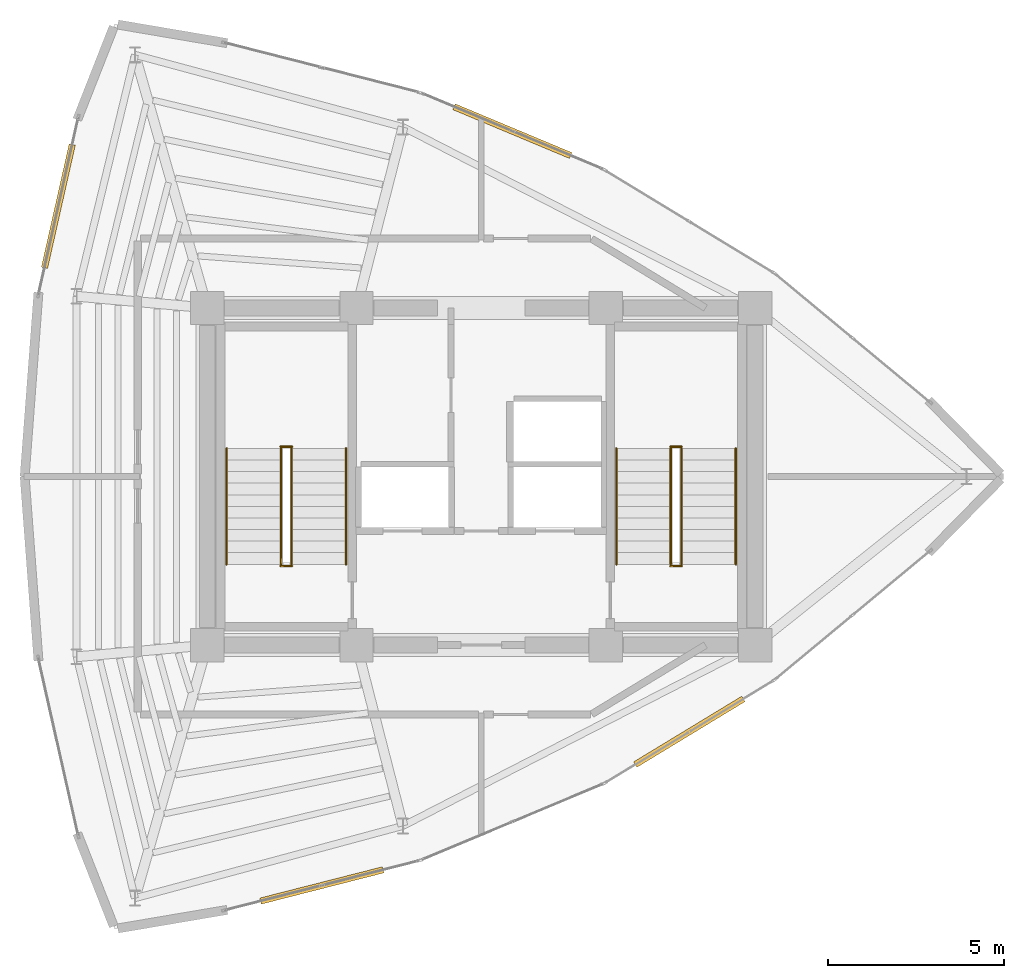
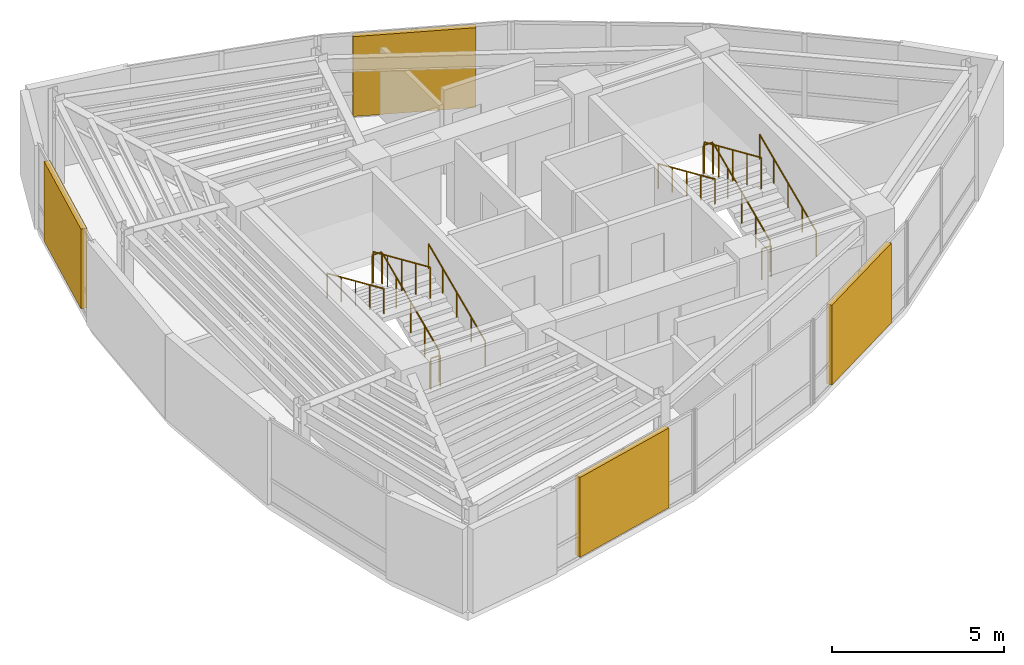
# One storey, part 14 of 14: 12 railings, 4 shading devices.
"""IFC4 building model written with IfcOpenShell, lengths in metres."""

from ifc_helpers import new_model, si_unit, direction, frame, origin, origin_2d, place, context, subcontext, project, spatial, rectangle, circle, extrude, material, layer, layer_set, type_object, element, save


model = new_model("IFC4")

# Units and contexts
model_context = context("Model", 3, precision=1e-05, world=origin(), true_north=direction((0.0, 1.0)))
body_context = subcontext(model_context, "Body", "Model", "MODEL_VIEW")
ifc_project = project(units=[si_unit("LENGTHUNIT", "METRE"), si_unit("AREAUNIT", "SQUARE_METRE"), si_unit("VOLUMEUNIT", "CUBIC_METRE"), si_unit("PLANEANGLEUNIT", "RADIAN"), si_unit("MASSUNIT", "GRAM", prefix="KILO")], contexts=[model_context])

# Site, building, storey
site_placement = place(None, origin())
site = spatial("IfcSite", under=ifc_project, at=site_placement, CompositionType="ELEMENT")
building_placement = place(site_placement, origin())
building = spatial("IfcBuilding", under=site, at=building_placement, Name="Menara Vayukalpa", CompositionType="ELEMENT")
storey_placement = place(building_placement, frame((0.0, 0.0, 299.219970703125)))
storey = spatial("IfcBuildingStorey", under=building, at=storey_placement, Name="L76", CompositionType="ELEMENT", Elevation=299.219970703125)

# Railings
ifc_material_1 = material(Name="Powder-Coated Galvanised Steel Guardrail", Category="steel")
railing_type_1 = type_object("IfcRailingType", Name="RLG-STG110", PredefinedType="GUARDRAIL", material=ifc_material_1)
railing_1_placement = place(storey_placement, frame((20.199951171875, 19.5, 0.1455078125)))
element("IfcRailing", 1, at=railing_1_placement, inside=storey, type_object=railing_type_1, Name="L76 ST-1 stair guard 1", PredefinedType="GUARDRAIL", context=body_context, shape_type="SweptSolid", body=[
    extrude(circle(Radius=0.02392578125, at=origin_2d()), frame((0.0, 0.0, 1.09619140625), z_axis=(0.0, 0.915052310208, 0.403335182675), x_axis=(-1.0, 0.0, 0.0)), (0.0, 0.0, 1.0), 3.6064453125),
    extrude(circle(Radius=0.02099609375, at=origin_2d()), origin(), (0.0, 0.0, 1.0), 1.072021484375),
    extrude(circle(Radius=0.02099609375, at=origin_2d()), frame((0.0, 0.824951171875, 0.36376953125)), (0.0, 0.0, 1.0), 1.072021484375),
    extrude(circle(Radius=0.02099609375, at=origin_2d()), frame((0.0, 1.64990234375, 0.727294921875)), (0.0, 0.0, 1.0), 1.072021484375),
    extrude(circle(Radius=0.02099609375, at=origin_2d()), frame((0.0, 2.47509765625, 1.0908203125)), (0.0, 0.0, 1.0), 1.072021484375),
    extrude(circle(Radius=0.02099609375, at=origin_2d()), frame((0.0, 3.300048828125, 1.45458984375)), (0.0, 0.0, 1.0), 1.072021484375),
])
railing_2_placement = place(storey_placement, frame((20.2099609375, 22.85009765625, 1.60009765625)))
element("IfcRailing", 2, at=railing_2_placement, inside=storey, type_object=railing_type_1, Name="L76 ST-1 stair guard 2", PredefinedType="GUARDRAIL", context=body_context, shape_type="SweptSolid", body=[
    extrude(circle(Radius=0.02392578125, at=origin_2d()), frame((0.0, 0.0, 1.09619140625), z_axis=(-1.0, 0.0, 0.0), x_axis=(0.0, -1.0, 0.0)), (0.0, 0.0, 1.0), 0.320068359375),
    extrude(circle(Radius=0.02099609375, at=origin_2d()), origin(), (0.0, 0.0, 1.0), 1.072021484375),
    extrude(circle(Radius=0.02099609375, at=origin_2d()), frame((-0.320068359375, 0.0, 0.0)), (0.0, 0.0, 1.0), 1.072021484375),
])
railing_3_placement = place(storey_placement, frame((19.89990234375, 22.800048828125, 1.74560546875)))
element("IfcRailing", 3, at=railing_3_placement, inside=storey, type_object=railing_type_1, Name="L76 ST-1 stair guard 3", PredefinedType="GUARDRAIL", context=body_context, shape_type="SweptSolid", body=[
    extrude(circle(Radius=0.02392578125, at=origin_2d()), frame((0.0, 0.0, 1.09619140625), z_axis=(0.0, -0.915077294035, 0.40327849675), x_axis=(1.0, 0.0, 0.0)), (0.0, 0.0, 1.0), 3.606201171875),
    extrude(circle(Radius=0.02099609375, at=origin_2d()), origin(), (0.0, 0.0, 1.0), 1.072021484375),
    extrude(circle(Radius=0.02099609375, at=origin_2d()), frame((0.0, -0.824951171875, 0.363525390625)), (0.0, 0.0, 1.0), 1.072021484375),
    extrude(circle(Radius=0.02099609375, at=origin_2d()), frame((0.0, -1.64990234375, 0.72705078125)), (0.0, 0.0, 1.0), 1.072021484375),
    extrude(circle(Radius=0.02099609375, at=origin_2d()), frame((0.0, -2.47509765625, 1.0908203125)), (0.0, 0.0, 1.0), 1.072021484375),
    extrude(circle(Radius=0.02099609375, at=origin_2d()), frame((0.0, -3.300048828125, 1.454345703125)), (0.0, 0.0, 1.0), 1.072021484375),
])
railing_4_placement = place(storey_placement, frame((20.2099609375, 19.449951171875, 0.0)))
element("IfcRailing", 4, at=railing_4_placement, inside=storey, type_object=railing_type_1, Name="L76 ST-1 stair guard 4", PredefinedType="GUARDRAIL", context=body_context, shape_type="SweptSolid", body=[
    extrude(circle(Radius=0.02392578125, at=origin_2d()), frame((0.0, 0.0, 1.09619140625), z_axis=(-1.0, 0.0, 0.0), x_axis=(0.0, -1.0, 0.0)), (0.0, 0.0, 1.0), 0.320068359375),
    extrude(circle(Radius=0.02099609375, at=origin_2d()), origin(), (0.0, 0.0, 1.0), 1.072021484375),
    extrude(circle(Radius=0.02099609375, at=origin_2d()), frame((-0.320068359375, 0.0, 0.0)), (0.0, 0.0, 1.0), 1.072021484375),
])
railing_5_placement = place(storey_placement, frame((31.300048828125, 19.5, 0.1455078125)))
element("IfcRailing", 5, at=railing_5_placement, inside=storey, type_object=railing_type_1, Name="L76 ST-2 stair guard 1", PredefinedType="GUARDRAIL", context=body_context, shape_type="SweptSolid", body=[
    extrude(circle(Radius=0.02392578125, at=origin_2d()), frame((0.0, 0.0, 1.09619140625), z_axis=(0.0, 0.915052310208, 0.403335182675), x_axis=(-1.0, 0.0, 0.0)), (0.0, 0.0, 1.0), 3.6064453125),
    extrude(circle(Radius=0.02099609375, at=origin_2d()), origin(), (0.0, 0.0, 1.0), 1.072021484375),
    extrude(circle(Radius=0.02099609375, at=origin_2d()), frame((0.0, 0.824951171875, 0.36376953125)), (0.0, 0.0, 1.0), 1.072021484375),
    extrude(circle(Radius=0.02099609375, at=origin_2d()), frame((0.0, 1.64990234375, 0.727294921875)), (0.0, 0.0, 1.0), 1.072021484375),
    extrude(circle(Radius=0.02099609375, at=origin_2d()), frame((0.0, 2.47509765625, 1.0908203125)), (0.0, 0.0, 1.0), 1.072021484375),
    extrude(circle(Radius=0.02099609375, at=origin_2d()), frame((0.0, 3.300048828125, 1.45458984375)), (0.0, 0.0, 1.0), 1.072021484375),
])
railing_6_placement = place(storey_placement, frame((31.31005859375, 22.85009765625, 1.60009765625)))
element("IfcRailing", 6, at=railing_6_placement, inside=storey, type_object=railing_type_1, Name="L76 ST-2 stair guard 2", PredefinedType="GUARDRAIL", context=body_context, shape_type="SweptSolid", body=[
    extrude(circle(Radius=0.02392578125, at=origin_2d()), frame((0.0, 0.0, 1.09619140625), z_axis=(-1.0, 0.0, 0.0), x_axis=(0.0, -1.0, 0.0)), (0.0, 0.0, 1.0), 0.320068359375),
    extrude(circle(Radius=0.02099609375, at=origin_2d()), origin(), (0.0, 0.0, 1.0), 1.072021484375),
    extrude(circle(Radius=0.02099609375, at=origin_2d()), frame((-0.320068359375, 0.0, 0.0)), (0.0, 0.0, 1.0), 1.072021484375),
])
railing_7_placement = place(storey_placement, frame((31.0, 22.800048828125, 1.74560546875)))
element("IfcRailing", 7, at=railing_7_placement, inside=storey, type_object=railing_type_1, Name="L76 ST-2 stair guard 3", PredefinedType="GUARDRAIL", context=body_context, shape_type="SweptSolid", body=[
    extrude(circle(Radius=0.02392578125, at=origin_2d()), frame((0.0, 0.0, 1.09619140625), z_axis=(0.0, -0.915077294035, 0.40327849675), x_axis=(1.0, 0.0, 0.0)), (0.0, 0.0, 1.0), 3.606201171875),
    extrude(circle(Radius=0.02099609375, at=origin_2d()), origin(), (0.0, 0.0, 1.0), 1.072021484375),
    extrude(circle(Radius=0.02099609375, at=origin_2d()), frame((0.0, -0.824951171875, 0.363525390625)), (0.0, 0.0, 1.0), 1.072021484375),
    extrude(circle(Radius=0.02099609375, at=origin_2d()), frame((0.0, -1.64990234375, 0.72705078125)), (0.0, 0.0, 1.0), 1.072021484375),
    extrude(circle(Radius=0.02099609375, at=origin_2d()), frame((0.0, -2.47509765625, 1.0908203125)), (0.0, 0.0, 1.0), 1.072021484375),
    extrude(circle(Radius=0.02099609375, at=origin_2d()), frame((0.0, -3.300048828125, 1.454345703125)), (0.0, 0.0, 1.0), 1.072021484375),
])
railing_8_placement = place(storey_placement, frame((31.31005859375, 19.449951171875, 0.0)))
element("IfcRailing", 8, at=railing_8_placement, inside=storey, type_object=railing_type_1, Name="L76 ST-2 stair guard 4", PredefinedType="GUARDRAIL", context=body_context, shape_type="SweptSolid", body=[
    extrude(circle(Radius=0.02392578125, at=origin_2d()), frame((0.0, 0.0, 1.09619140625), z_axis=(-1.0, 0.0, 0.0), x_axis=(0.0, -1.0, 0.0)), (0.0, 0.0, 1.0), 0.320068359375),
    extrude(circle(Radius=0.02099609375, at=origin_2d()), origin(), (0.0, 0.0, 1.0), 1.072021484375),
    extrude(circle(Radius=0.02099609375, at=origin_2d()), frame((-0.320068359375, 0.0, 0.0)), (0.0, 0.0, 1.0), 1.072021484375),
])
ifc_material_2 = material(Name="Stainless Steel 316 Tubular Handrail", Category="steel")
railing_type_2 = type_object("IfcRailingType", Name="RLG-STH090", PredefinedType="HANDRAIL", material=ifc_material_2)
railing_9_placement = place(storey_placement, frame((21.75, 19.5, 0.1455078125)))
element("IfcRailing", 9, at=railing_9_placement, inside=storey, type_object=railing_type_2, Name="L76 ST-1 stair handrail 1", PredefinedType="HANDRAIL", context=body_context, shape_type="SweptSolid", body=[
    extrude(circle(Radius=0.02392578125, at=origin_2d()), frame((0.0, 0.0, 0.8759765625), z_axis=(0.0, 0.915052310208, 0.403335182675), x_axis=(-1.0, 0.0, 0.0)), (0.0, 0.0, 1.0), 3.6064453125),
    extrude(circle(Radius=0.02099609375, at=origin_2d()), origin(), (0.0, 0.0, 1.0), 0.851806640625),
    extrude(circle(Radius=0.02099609375, at=origin_2d()), frame((0.0, 0.824951171875, 0.36376953125)), (0.0, 0.0, 1.0), 0.851806640625),
    extrude(circle(Radius=0.02099609375, at=origin_2d()), frame((0.0, 1.64990234375, 0.727294921875)), (0.0, 0.0, 1.0), 0.851806640625),
    extrude(circle(Radius=0.02099609375, at=origin_2d()), frame((0.0, 2.47509765625, 1.0908203125)), (0.0, 0.0, 1.0), 0.851806640625),
    extrude(circle(Radius=0.02099609375, at=origin_2d()), frame((0.0, 3.300048828125, 1.45458984375)), (0.0, 0.0, 1.0), 0.851806640625),
])
railing_10_placement = place(storey_placement, frame((18.35009765625, 22.800048828125, 1.74560546875)))
element("IfcRailing", 10, at=railing_10_placement, inside=storey, type_object=railing_type_2, Name="L76 ST-1 stair handrail 2", PredefinedType="HANDRAIL", context=body_context, shape_type="SweptSolid", body=[
    extrude(circle(Radius=0.02392578125, at=origin_2d()), frame((0.0, 0.0, 0.8759765625), z_axis=(0.0, -0.915077294035, 0.40327849675), x_axis=(1.0, 0.0, 0.0)), (0.0, 0.0, 1.0), 3.606201171875),
    extrude(circle(Radius=0.02099609375, at=origin_2d()), origin(), (0.0, 0.0, 1.0), 0.851806640625),
    extrude(circle(Radius=0.02099609375, at=origin_2d()), frame((0.0, -0.824951171875, 0.363525390625)), (0.0, 0.0, 1.0), 0.851806640625),
    extrude(circle(Radius=0.02099609375, at=origin_2d()), frame((0.0, -1.64990234375, 0.72705078125)), (0.0, 0.0, 1.0), 0.851806640625),
    extrude(circle(Radius=0.02099609375, at=origin_2d()), frame((0.0, -2.47509765625, 1.0908203125)), (0.0, 0.0, 1.0), 0.851806640625),
    extrude(circle(Radius=0.02099609375, at=origin_2d()), frame((0.0, -3.300048828125, 1.454345703125)), (0.0, 0.0, 1.0), 0.851806640625),
])
railing_11_placement = place(storey_placement, frame((32.85009765625, 19.5, 0.1455078125)))
element("IfcRailing", 11, at=railing_11_placement, inside=storey, type_object=railing_type_2, Name="L76 ST-2 stair handrail 1", PredefinedType="HANDRAIL", context=body_context, shape_type="SweptSolid", body=[
    extrude(circle(Radius=0.02392578125, at=origin_2d()), frame((0.0, 0.0, 0.8759765625), z_axis=(0.0, 0.915052310208, 0.403335182675), x_axis=(-1.0, 0.0, 0.0)), (0.0, 0.0, 1.0), 3.6064453125),
    extrude(circle(Radius=0.02099609375, at=origin_2d()), origin(), (0.0, 0.0, 1.0), 0.851806640625),
    extrude(circle(Radius=0.02099609375, at=origin_2d()), frame((0.0, 0.824951171875, 0.36376953125)), (0.0, 0.0, 1.0), 0.851806640625),
    extrude(circle(Radius=0.02099609375, at=origin_2d()), frame((0.0, 1.64990234375, 0.727294921875)), (0.0, 0.0, 1.0), 0.851806640625),
    extrude(circle(Radius=0.02099609375, at=origin_2d()), frame((0.0, 2.47509765625, 1.0908203125)), (0.0, 0.0, 1.0), 0.851806640625),
    extrude(circle(Radius=0.02099609375, at=origin_2d()), frame((0.0, 3.300048828125, 1.45458984375)), (0.0, 0.0, 1.0), 0.851806640625),
])
railing_12_placement = place(storey_placement, frame((29.449951171875, 22.800048828125, 1.74560546875)))
element("IfcRailing", 12, at=railing_12_placement, inside=storey, type_object=railing_type_2, Name="L76 ST-2 stair handrail 2", PredefinedType="HANDRAIL", context=body_context, shape_type="SweptSolid", body=[
    extrude(circle(Radius=0.02392578125, at=origin_2d()), frame((0.0, 0.0, 0.8759765625), z_axis=(0.0, -0.915077294035, 0.40327849675), x_axis=(1.0, 0.0, 0.0)), (0.0, 0.0, 1.0), 3.606201171875),
    extrude(circle(Radius=0.02099609375, at=origin_2d()), origin(), (0.0, 0.0, 1.0), 0.851806640625),
    extrude(circle(Radius=0.02099609375, at=origin_2d()), frame((0.0, -0.824951171875, 0.363525390625)), (0.0, 0.0, 1.0), 0.851806640625),
    extrude(circle(Radius=0.02099609375, at=origin_2d()), frame((0.0, -1.64990234375, 0.72705078125)), (0.0, 0.0, 1.0), 0.851806640625),
    extrude(circle(Radius=0.02099609375, at=origin_2d()), frame((0.0, -2.47509765625, 1.0908203125)), (0.0, 0.0, 1.0), 0.851806640625),
    extrude(circle(Radius=0.02099609375, at=origin_2d()), frame((0.0, -3.300048828125, 1.454345703125)), (0.0, 0.0, 1.0), 0.851806640625),
])

# Shading devices
ifc_material_3 = material(Name="Anodised Terracotta Aluminium Acoustic Louvre", Category="masonry")
ifc_layer = layer(ifc_material_3, 0.280029296875)
ifc_layer_set = layer_set([ifc_layer], Name="Anodised Terracotta Aluminium Acoustic Louvre")
shading_device_type = type_object("IfcShadingDeviceType", Name="SHD-LV1", PredefinedType="JALOUSIE", material=ifc_layer_set)
for number, where, z_axis, x_axis, name in (
    (13, (26.48583984375, 31.835205078125, 0.074951171875), (0.0, 0.0, 1.0), (-0.922538089456, 0.385906042324, 0.0), "L76 Crown Plant Louvre Screen 05"),
    (14, (13.558837890625, 29.69921875, 0.074951171875), (0.0, 0.0, 1.0), (-0.219522692765, -0.975607394068, 0.0), "L76 Crown Plant Louvre Screen 09"),
    (15, (21.0615234375, 10.354248046875, 0.074951171875), (0.0, 0.0, 1.0), (0.968985547553, 0.247117398484, 0.0), "L76 Crown Plant Louvre Screen 15"),
    (16, (31.525146484375, 14.73095703125, 0.074951171875), (0.0, 0.0, 1.0), (0.85466730962, 0.519176068272, 0.0), "L76 Crown Plant Louvre Screen 17"),
):
    element("IfcShadingDevice", number, at=place(storey_placement, frame(where, z_axis=z_axis, x_axis=x_axis)), inside=storey, type_object=shading_device_type, Name=name, PredefinedType="JALOUSIE", context=body_context, shape_type="SweptSolid", body=[
        extrude(rectangle(XDim=3.60009765625, YDim=0.179931640625, at=origin_2d()), origin(), (0.0, 0.0, 1.0), 2.830078125),
    ])

save(model, "model.ifc")
